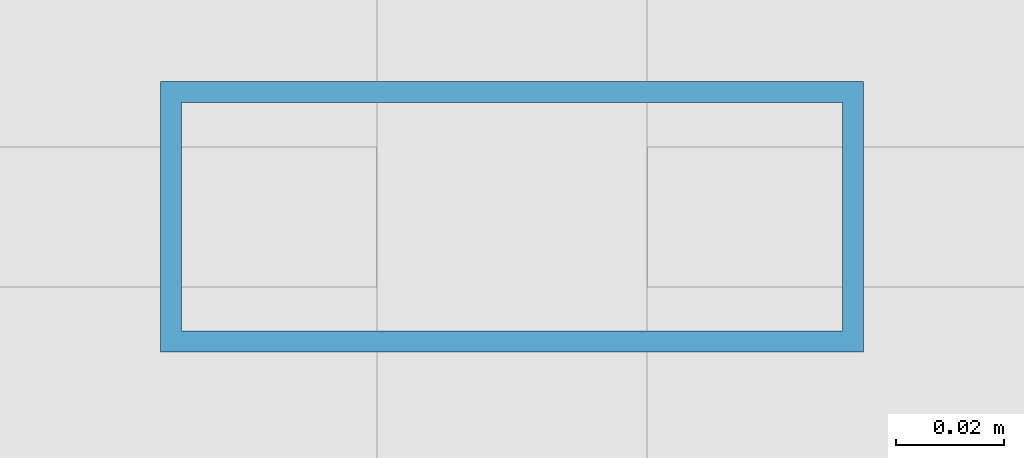
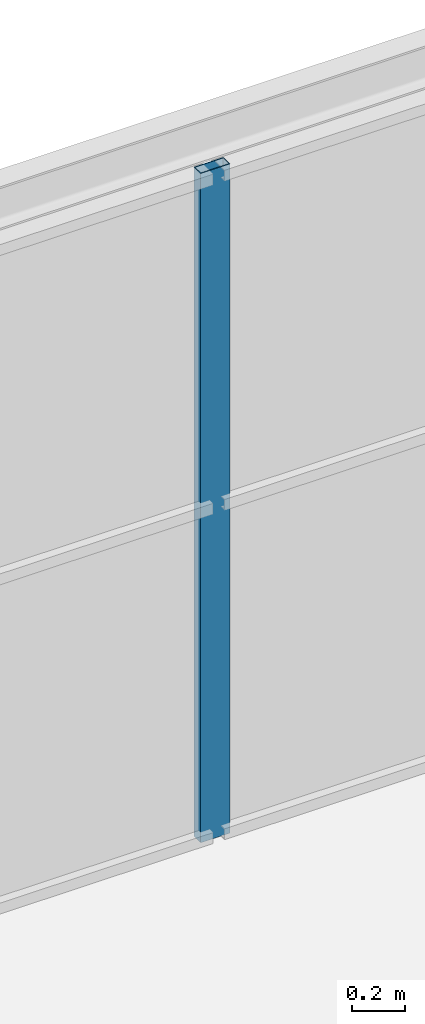
# One storey, part 48 of 140: 1 member, 1 element without a shape of its own.
"""IFC4 building model written with IfcOpenShell, lengths in metres."""

from ifc_helpers import new_model, si_unit, direction, frame, origin, origin_2d, place, context, subcontext, project, spatial, hollow_rectangle, extrude, material, layer, layer_set, material_profile, profile_set, type_object, element, aggregate, save


model = new_model("IFC4")

# Units and contexts
model_context = context("Model", 3, precision=1e-05, world=origin(), true_north=direction((0.0, 1.0)))
body_context = subcontext(model_context, "Body", "Model", "MODEL_VIEW")
ifc_project = project(units=[si_unit("LENGTHUNIT", "METRE"), si_unit("AREAUNIT", "SQUARE_METRE"), si_unit("VOLUMEUNIT", "CUBIC_METRE"), si_unit("PLANEANGLEUNIT", "RADIAN"), si_unit("MASSUNIT", "GRAM", prefix="KILO")], contexts=[model_context])

# Site, building, storey
site_placement = place(None, origin())
site = spatial("IfcSite", under=ifc_project, at=site_placement, CompositionType="ELEMENT")
building_placement = place(site_placement, origin())
building = spatial("IfcBuilding", under=site, at=building_placement, Name="Deido Ridge Mobility Hub", CompositionType="ELEMENT")
storey_placement = place(building_placement, origin())
storey = spatial("IfcBuildingStorey", under=building, at=storey_placement, Name="L00", CompositionType="ELEMENT", Elevation=0.0)

# Curtain wall, member
ifc_material = material(Name="Anodised aluminium EN AW-6063 T6", Category="aluminium")
ifc_layer = layer(ifc_material, 0.16796875, Name="Anodised aluminium EN AW-6063 T6")
ifc_layer_set = layer_set([ifc_layer], Name="Anodised aluminium EN AW-6063 T6")
curtain_wall_type = type_object("IfcCurtainWallType", Name="CW-GS-4", PredefinedType="USERDEFINED", material=ifc_layer_set)
curtain_wall_placement = place(storey_placement, origin())
curtain_wall = element("IfcCurtainWall", 1, at=curtain_wall_placement, inside=storey, type_object=curtain_wall_type, Name="Unitised curtain wall GS4", ObjectType="GLAZED SCREEN", PredefinedType="USERDEFINED")
ifc_material_profile = material_profile(ifc_material, hollow_rectangle(XDim=0.050048828125, YDim=0.1298828125, WallThickness=0.00390625, at=origin_2d()), Name="RHS 50x130x4")
ifc_profile_set = profile_set([ifc_material_profile], Name="Anodised aluminium EN AW-6063 T6")
member_type = type_object("IfcMemberType", Name="MEM-MUL-50X130", PredefinedType="MULLION", material=ifc_profile_set)
member_placement = place(storey_placement, frame((45.0, 36.0, 0.0), z_axis=(0.0, 0.0, 1.0), x_axis=(0.0, 1.0, 0.0)))
member = element("IfcMember", 2, at=member_placement, type_object=member_type, Name="GS4 mullion 2", PredefinedType="MULLION", context=body_context, shape_type="SweptSolid", body=[
    extrude(hollow_rectangle(XDim=0.050048828125, YDim=0.1298828125, WallThickness=0.00390625, at=origin_2d()), origin(), (0.0, 0.0, 1.0), 3.0849609375),
])
aggregate(curtain_wall, [member])

save(model, "model.ifc")
